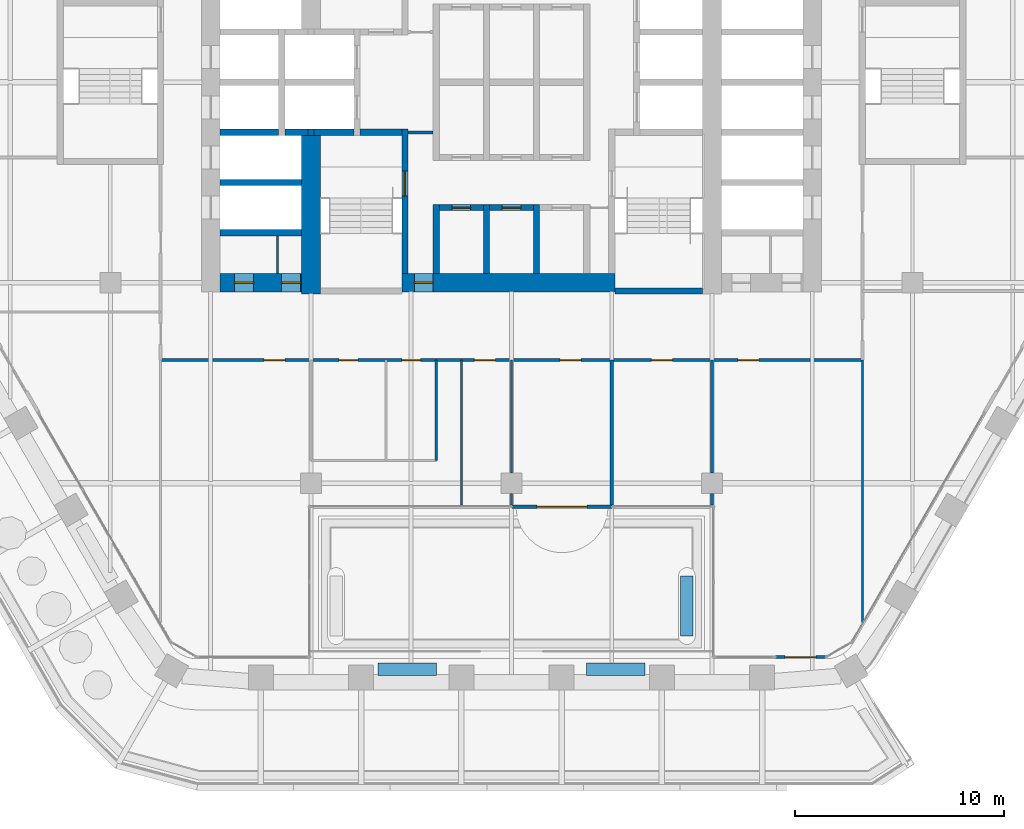
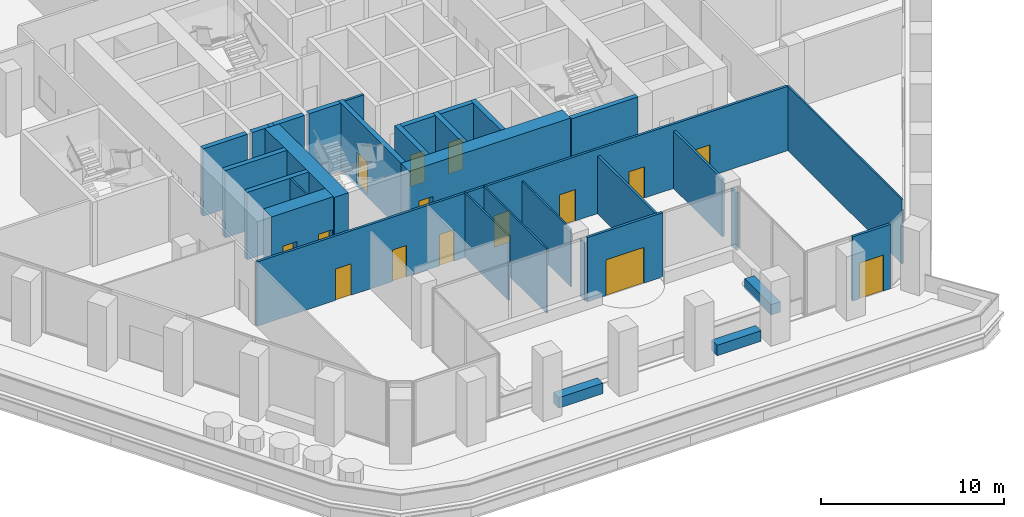
# One storey, part 16 of 27: 33 walls, 15 doors, 15 openings.
"""IFC4 building model written with IfcOpenShell, lengths in metres."""

from ifc_helpers import new_model, si_unit, direction, frame, frame_2d, origin, place, context, subcontext, project, spatial, rectangle, extrude, material, layer, layer_set, type_object, element, fill, save


model = new_model("IFC4")

# Units and contexts
model_context = context("Model", 3, precision=1e-05, world=origin(), true_north=direction((0.0, 1.0)))
body_context = subcontext(model_context, "Body", "Model", "MODEL_VIEW")
ifc_project = project(units=[si_unit("LENGTHUNIT", "METRE"), si_unit("AREAUNIT", "SQUARE_METRE"), si_unit("VOLUMEUNIT", "CUBIC_METRE"), si_unit("PLANEANGLEUNIT", "RADIAN"), si_unit("MASSUNIT", "GRAM", prefix="KILO")], contexts=[model_context])

# Site, building, storey
site_placement = place(None, origin())
site = spatial("IfcSite", under=ifc_project, at=site_placement, CompositionType="ELEMENT")
building_placement = place(site_placement, origin())
building = spatial("IfcBuilding", under=site, at=building_placement, Name="Kolab Exchange Tower", CompositionType="ELEMENT")
storey_placement = place(building_placement, frame((0.0, 0.0, 109.39990234375)))
storey = spatial("IfcBuildingStorey", under=building, at=storey_placement, Name="L21", CompositionType="ELEMENT", Elevation=109.39990234375)

# Wall, openings, doors
ifc_material_1 = material(Name="Concrete C70/85", Category="concrete")
ifc_layer_1 = layer(ifc_material_1, 0.89990234375)
ifc_layer_set_1 = layer_set([ifc_layer_1], Name="Concrete C70/85")
wall_type_1 = type_object("IfcWallType", Name="CORE WALL 900 C70/85", PredefinedType="SHEAR", material=ifc_layer_set_1)
wall_1_placement = place(storey_placement, frame((-13.949951171875, -9.60009765625, -0.199951171875), z_axis=(0.0, 0.0, 1.0), x_axis=(1.0, 0.0, 0.0)))
wall_1 = element("IfcWall", 1, at=wall_1_placement, inside=storey, type_object=wall_type_1, Name="wall/L21/core/002", PredefinedType="SHEAR", context=body_context, shape_type="SweptSolid", body=[
    extrude(rectangle(XDim=3.89990234375, YDim=0.89990234375, at=frame_2d((1.949951171875, 0.0))), origin(), (0.0, 0.0, 1.0), 4.5),
])
opening_1_placement = place(wall_1_placement, frame((0.699951171875, 0.0, 0.199951171875)))
opening_1 = element("IfcOpeningElement", 2, at=opening_1_placement, cuts=wall_1, Name="Opening D6-234", PredefinedType="OPENING", context=body_context, shape_type="SweptSolid", body=[
    extrude(rectangle(XDim=0.89990234375, YDim=2.10009765625, at=frame_2d((0.449951171875, 1.050048828125))), frame((0.0, 0.4599609375, 0.0), z_axis=(0.0, -1.0, 0.0), x_axis=(1.0, 0.0, 0.0)), (0.0, 0.0, 1.0), 0.919921875),
])
opening_2_placement = place(wall_1_placement, frame((2.949951171875, 0.0, 0.199951171875)))
opening_2 = element("IfcOpeningElement", 3, at=opening_2_placement, cuts=wall_1, Name="Opening D6-235", PredefinedType="OPENING", context=body_context, shape_type="SweptSolid", body=[
    extrude(rectangle(XDim=0.89990234375, YDim=2.10009765625, at=frame_2d((0.449951171875, 1.050048828125))), frame((0.0, 0.4599609375, 0.0), z_axis=(0.0, -1.0, 0.0), x_axis=(1.0, 0.0, 0.0)), (0.0, 0.0, 1.0), 0.919921875),
])
ifc_material_2 = material(Name="Steel S235", Category="steel")
door_type_1 = type_object("IfcDoorType", Name="CORE DOOR 900 EI 120", OperationType="SINGLE_SWING_LEFT", PredefinedType="DOOR", material=ifc_material_2)
door_1_placement = place(opening_1_placement, origin())
door_1 = element("IfcDoor", 4, at=door_1_placement, inside=storey, type_object=door_type_1, Name="Service room door", OperationType="SINGLE_SWING_RIGHT", OverallHeight=2.10009765625, OverallWidth=0.89990234375, PredefinedType="DOOR", context=body_context, shape_type="SweptSolid", body=[
    extrude(rectangle(XDim=0.89990234375, YDim=2.10009765625, at=frame_2d((0.449951171875, 1.050048828125))), frame((0.0, 0.02490234375, 0.0), z_axis=(0.0, -1.0, 0.0), x_axis=(1.0, 0.0, 0.0)), (0.0, 0.0, 1.0), 0.050048828125),
])
fill(opening_1, door_1)
door_2_placement = place(opening_2_placement, origin())
door_2 = element("IfcDoor", 5, at=door_2_placement, inside=storey, type_object=door_type_1, Name="Service room door", OperationType="SINGLE_SWING_LEFT", OverallHeight=2.10009765625, OverallWidth=0.89990234375, PredefinedType="DOOR", context=body_context, shape_type="SweptSolid", body=[
    extrude(rectangle(XDim=0.89990234375, YDim=2.10009765625, at=frame_2d((0.449951171875, 1.050048828125))), frame((0.0, 0.02490234375, 0.0), z_axis=(0.0, -1.0, 0.0), x_axis=(1.0, 0.0, 0.0)), (0.0, 0.0, 1.0), 0.050048828125),
])
fill(opening_2, door_2)

# Wall, opening, door
wall_2_placement = place(storey_placement, frame((-5.25, -9.60009765625, -0.199951171875), z_axis=(0.0, 0.0, 1.0), x_axis=(1.0, 0.0, 0.0)))
wall_2 = element("IfcWall", 6, at=wall_2_placement, inside=storey, type_object=wall_type_1, Name="wall/L21/core/003", PredefinedType="SHEAR", context=body_context, shape_type="SweptSolid", body=[
    extrude(rectangle(XDim=10.199951171875, YDim=0.89990234375, at=frame_2d((5.10009765625, 0.0))), origin(), (0.0, 0.0, 1.0), 4.5),
])
opening_3_placement = place(wall_2_placement, frame((0.60009765625, 0.0, 0.199951171875)))
opening_3 = element("IfcOpeningElement", 7, at=opening_3_placement, cuts=wall_2, Name="Opening D6-203", PredefinedType="OPENING", context=body_context, shape_type="SweptSolid", body=[
    extrude(rectangle(XDim=0.89990234375, YDim=2.10009765625, at=frame_2d((0.449951171875, 1.050048828125))), frame((0.0, 0.4599609375, 0.0), z_axis=(0.0, -1.0, 0.0), x_axis=(1.0, 0.0, 0.0)), (0.0, 0.0, 1.0), 0.919921875),
])
door_3_placement = place(opening_3_placement, origin())
door_3 = element("IfcDoor", 8, at=door_3_placement, inside=storey, type_object=door_type_1, Name="Core lobby door", OperationType="SINGLE_SWING_RIGHT", OverallHeight=2.10009765625, OverallWidth=0.89990234375, PredefinedType="DOOR", context=body_context, shape_type="SweptSolid", body=[
    extrude(rectangle(XDim=0.89990234375, YDim=2.10009765625, at=frame_2d((0.449951171875, 1.050048828125))), frame((0.0, 0.02490234375, 0.0), z_axis=(0.0, -1.0, 0.0), x_axis=(1.0, 0.0, 0.0)), (0.0, 0.0, 1.0), 0.050048828125),
])
fill(opening_3, door_3)

# Wall
wall_3_placement = place(storey_placement, frame((-9.60009765625, -10.14990234375, -0.199951171875), z_axis=(0.0, 0.0, 1.0), x_axis=(0.0, 1.0, 0.0)))
element("IfcWall", 9, at=wall_3_placement, inside=storey, type_object=wall_type_1, Name="wall/L21/core/059", PredefinedType="SHEAR", context=body_context, shape_type="SweptSolid", body=[
    extrude(rectangle(XDim=7.599853515625, YDim=0.89990234375, at=frame_2d((3.7998046875, 0.0))), origin(), (0.0, 0.0, 1.0), 4.5),
])

# Wall, opening, door
ifc_material_3 = material(Name="Aluminium EN AW-6063 T6", Category="aluminium")
ifc_layer_2 = layer(ifc_material_3, 0.159912109375)
ifc_layer_set_2 = layer_set([ifc_layer_2], Name="Aluminium EN AW-6063 T6")
wall_type_2 = type_object("IfcWallType", Name="DOOR SURROUND WALL 160 ALUMINIUM FRAMED", PredefinedType="PARTITIONING", material=ifc_layer_set_2)
wall_4_placement = place(storey_placement, frame((15.037841796875, -27.5185546875, 0.0), z_axis=(0.0, 0.0, 1.0), x_axis=(-1.0, 0.0, 0.0)))
wall_4 = element("IfcWall", 10, at=wall_4_placement, inside=storey, type_object=wall_type_2, Name="Door surround wall", PredefinedType="PARTITIONING", context=body_context, shape_type="SweptSolid", body=[
    extrude(rectangle(XDim=2.39990234375, YDim=0.159912109375, at=frame_2d((1.199951171875, 0.0))), origin(), (0.0, 0.0, 1.0), 4.300048828125),
])
opening_4_placement = place(wall_4_placement, frame((0.449951171875, 0.0, 0.0)))
opening_4 = element("IfcOpeningElement", 11, at=opening_4_placement, cuts=wall_4, Name="Opening GD2-004", PredefinedType="OPENING", context=body_context, shape_type="SweptSolid", body=[
    extrude(rectangle(XDim=1.5, YDim=2.39990234375, at=frame_2d((0.75, 1.199951171875))), frame((0.0, 0.08984375, 0.0), z_axis=(0.0, -1.0, 0.0), x_axis=(1.0, 0.0, 0.0)), (0.0, 0.0, 1.0), 0.179931640625),
])
door_type_2 = type_object("IfcDoorType", Name="LOGGIA SLIDING GLASS DOOR 1500 X 2400", OperationType="SLIDING_TO_LEFT", PredefinedType="DOOR", material=ifc_material_3)
door_4_placement = place(opening_4_placement, origin())
door_4 = element("IfcDoor", 12, at=door_4_placement, inside=storey, type_object=door_type_2, Name="Loggia door", OperationType="DOUBLE_DOOR_SLIDING", OverallHeight=2.39990234375, OverallWidth=1.5, PredefinedType="DOOR", context=body_context, shape_type="SweptSolid", body=[
    extrude(rectangle(XDim=1.5, YDim=2.39990234375, at=frame_2d((0.75, 1.199951171875))), frame((0.0, 0.02490234375, 0.0), z_axis=(0.0, -1.0, 0.0), x_axis=(1.0, 0.0, 0.0)), (0.0, 0.0, 1.0), 0.050048828125),
])
fill(opening_4, door_4)

wall_5_placement = place(storey_placement, frame((4.81005859375, -20.318359375, 0.0), z_axis=(0.0, 0.0, 1.0), x_axis=(-1.0, 0.0, 0.0)))
wall_5 = element("IfcWall", 13, at=wall_5_placement, inside=storey, type_object=wall_type_2, Name="Door surround wall", PredefinedType="PARTITIONING", context=body_context, shape_type="SweptSolid", body=[
    extrude(rectangle(XDim=4.780029296875, YDim=0.159912109375, at=frame_2d((2.39013671875, 0.0))), origin(), (0.0, 0.0, 1.0), 4.300048828125),
])
opening_5_placement = place(wall_5_placement, frame((1.18994140625, 0.0, 0.0)))
opening_5 = element("IfcOpeningElement", 14, at=opening_5_placement, cuts=wall_5, Name="Opening GD1-050", PredefinedType="OPENING", context=body_context, shape_type="SweptSolid", body=[
    extrude(rectangle(XDim=2.39990234375, YDim=2.39990234375, at=frame_2d((1.199951171875, 1.199951171875))), frame((0.0, 0.08984375, 0.0), z_axis=(0.0, -1.0, 0.0), x_axis=(1.0, 0.0, 0.0)), (0.0, 0.0, 1.0), 0.179931640625),
])
door_type_3 = type_object("IfcDoorType", Name="LOGGIA SLIDING GLASS DOOR 2400 X 2400", OperationType="DOUBLE_DOOR_SINGLE_SWING", PredefinedType="DOOR", material=ifc_material_3)
door_5_placement = place(opening_5_placement, origin())
door_5 = element("IfcDoor", 15, at=door_5_placement, inside=storey, type_object=door_type_3, Name="Loggia door", OperationType="DOUBLE_DOOR_SLIDING", OverallHeight=2.39990234375, OverallWidth=2.39990234375, PredefinedType="DOOR", context=body_context, shape_type="SweptSolid", body=[
    extrude(rectangle(XDim=2.39990234375, YDim=2.39990234375, at=frame_2d((1.199951171875, 1.199951171875))), frame((0.0, 0.02490234375, 0.0), z_axis=(0.0, -1.0, 0.0), x_axis=(1.0, 0.0, 0.0)), (0.0, 0.0, 1.0), 0.050048828125),
])
fill(opening_5, door_5)

# Wall
ifc_material_4 = material(Name="Concrete C50/60", Category="concrete")
ifc_layer_3 = layer(ifc_material_4, 0.300048828125)
ifc_layer_set_3 = layer_set([ifc_layer_3], Name="Concrete C50/60")
wall_type_3 = type_object("IfcWallType", Name="LIFT SHAFT WALL 300 C50/60", PredefinedType="STANDARD", material=ifc_layer_set_3)
wall_6_placement = place(storey_placement, frame((-13.949951171875, -7.199951171875, -0.199951171875), z_axis=(0.0, 0.0, 1.0), x_axis=(1.0, 0.0, 0.0)))
element("IfcWall", 16, at=wall_6_placement, inside=storey, type_object=wall_type_3, Name="wall/L21/core/005", PredefinedType="STANDARD", context=body_context, shape_type="SweptSolid", body=[
    extrude(rectangle(XDim=3.89990234375, YDim=0.300048828125, at=frame_2d((1.949951171875, 0.0))), origin(), (0.0, 0.0, 1.0), 4.5),
])

# Wall, opening, door
wall_7_placement = place(storey_placement, frame((-3.449951171875, -6.0, -0.199951171875), z_axis=(0.0, 0.0, 1.0), x_axis=(1.0, 0.0, 0.0)))
wall_7 = element("IfcWall", 17, at=wall_7_placement, inside=storey, type_object=wall_type_3, Name="wall/L21/core/007", PredefinedType="STANDARD", context=body_context, shape_type="SweptSolid", body=[
    extrude(rectangle(XDim=2.099853515625, YDim=0.300048828125, at=frame_2d((1.0498046875, 0.0))), origin(), (0.0, 0.0, 1.0), 4.5),
])
opening_6_placement = place(wall_7_placement, frame((0.60009765625, 0.0, 0.199951171875)))
opening_6 = element("IfcOpeningElement", 18, at=opening_6_placement, cuts=wall_7, Name="Opening D6-202", PredefinedType="OPENING", context=body_context, shape_type="SweptSolid", body=[
    extrude(rectangle(XDim=0.89990234375, YDim=2.10009765625, at=frame_2d((0.449951171875, 1.050048828125))), frame((0.0, 0.16015625, 0.0), z_axis=(0.0, -1.0, 0.0), x_axis=(1.0, 0.0, 0.0)), (0.0, 0.0, 1.0), 0.320068359375),
])
door_6_placement = place(opening_6_placement, frame((0.89990234375, 0.0, 0.0), z_axis=(0.0, 0.0, 1.0), x_axis=(-1.0, 0.0, 0.0)))
door_6 = element("IfcDoor", 19, at=door_6_placement, inside=storey, type_object=door_type_1, Name="Service room door", OperationType="SINGLE_SWING_LEFT", OverallHeight=2.10009765625, OverallWidth=0.89990234375, PredefinedType="DOOR", context=body_context, shape_type="SweptSolid", body=[
    extrude(rectangle(XDim=0.89990234375, YDim=2.10009765625, at=frame_2d((0.449951171875, 1.050048828125))), frame((0.0, 0.02490234375, 0.0), z_axis=(0.0, -1.0, 0.0), x_axis=(1.0, 0.0, 0.0)), (0.0, 0.0, 1.0), 0.050048828125),
])
fill(opening_6, door_6)

wall_8_placement = place(storey_placement, frame((-1.050048828125, -6.0, -0.199951171875), z_axis=(0.0, 0.0, 1.0), x_axis=(1.0, 0.0, 0.0)))
wall_8 = element("IfcWall", 20, at=wall_8_placement, inside=storey, type_object=wall_type_3, Name="wall/L21/core/008", PredefinedType="STANDARD", context=body_context, shape_type="SweptSolid", body=[
    extrude(rectangle(XDim=2.10009765625, YDim=0.300048828125, at=frame_2d((1.050048828125, 0.0))), origin(), (0.0, 0.0, 1.0), 4.5),
])
opening_7_placement = place(wall_8_placement, frame((0.60009765625, 0.0, 0.199951171875)))
opening_7 = element("IfcOpeningElement", 21, at=opening_7_placement, cuts=wall_8, Name="Opening D6-201", PredefinedType="OPENING", context=body_context, shape_type="SweptSolid", body=[
    extrude(rectangle(XDim=0.89990234375, YDim=2.10009765625, at=frame_2d((0.449951171875, 1.050048828125))), frame((0.0, 0.16015625, 0.0), z_axis=(0.0, -1.0, 0.0), x_axis=(1.0, 0.0, 0.0)), (0.0, 0.0, 1.0), 0.320068359375),
])
door_7_placement = place(opening_7_placement, frame((0.89990234375, 0.0, 0.0), z_axis=(0.0, 0.0, 1.0), x_axis=(-1.0, 0.0, 0.0)))
door_7 = element("IfcDoor", 22, at=door_7_placement, inside=storey, type_object=door_type_1, Name="Service room door", OperationType="SINGLE_SWING_LEFT", OverallHeight=2.10009765625, OverallWidth=0.89990234375, PredefinedType="DOOR", context=body_context, shape_type="SweptSolid", body=[
    extrude(rectangle(XDim=0.89990234375, YDim=2.10009765625, at=frame_2d((0.449951171875, 1.050048828125))), frame((0.0, 0.02490234375, 0.0), z_axis=(0.0, -1.0, 0.0), x_axis=(1.0, 0.0, 0.0)), (0.0, 0.0, 1.0), 0.050048828125),
])
fill(opening_7, door_7)

# Walls
wall_9_placement = place(storey_placement, frame((-13.949951171875, -4.800048828125, -0.199951171875), z_axis=(0.0, 0.0, 1.0), x_axis=(1.0, 0.0, 0.0)))
element("IfcWall", 23, at=wall_9_placement, inside=storey, type_object=wall_type_3, Name="wall/L21/core/010", PredefinedType="STANDARD", context=body_context, shape_type="SweptSolid", body=[
    extrude(rectangle(XDim=3.89990234375, YDim=0.300048828125, at=frame_2d((1.949951171875, 0.0))), origin(), (0.0, 0.0, 1.0), 4.5),
])
wall_10_placement = place(storey_placement, frame((-13.949951171875, -2.39990234375, -0.199951171875), z_axis=(0.0, 0.0, 1.0), x_axis=(1.0, 0.0, 0.0)))
element("IfcWall", 24, at=wall_10_placement, inside=storey, type_object=wall_type_3, Name="wall/L21/core/017", PredefinedType="STANDARD", context=body_context, shape_type="SweptSolid", body=[
    extrude(rectangle(XDim=2.800048828125, YDim=0.300048828125, at=frame_2d((1.39990234375, 0.0))), origin(), (0.0, 0.0, 1.0), 4.5),
])
wall_11_placement = place(storey_placement, frame((-10.85009765625, -2.39990234375, -0.199951171875), z_axis=(0.0, 0.0, 1.0), x_axis=(1.0, 0.0, 0.0)))
element("IfcWall", 25, at=wall_11_placement, inside=storey, type_object=wall_type_3, Name="wall/L21/core/018", PredefinedType="STANDARD", context=body_context, shape_type="SweptSolid", body=[
    extrude(rectangle(XDim=1.10009765625, YDim=0.300048828125, at=frame_2d((0.550048828125, 0.0))), origin(), (0.0, 0.0, 1.0), 4.5),
])
for number, where, z_axis, x_axis, name in (
    (26, (-3.60009765625, -9.14990234375, -0.199951171875), (0.0, 0.0, 1.0), (0.0, 1.0, 0.0), "wall/L21/core/066"),
    (27, (-1.199951171875, -9.14990234375, -0.199951171875), (0.0, 0.0, 1.0), (0.0, 1.0, 0.0), "wall/L21/core/069"),
    (28, (1.199951171875, -9.14990234375, -0.199951171875), (0.0, 0.0, 1.0), (0.0, 1.0, 0.0), "wall/L21/core/072"),
):
    element("IfcWall", number, at=place(storey_placement, frame(where, z_axis=z_axis, x_axis=x_axis)), inside=storey, type_object=wall_type_3, Name=name, PredefinedType="STANDARD", context=body_context, shape_type="SweptSolid", body=[
        extrude(rectangle(XDim=3.2998046875, YDim=0.300048828125, at=frame_2d((1.64990234375, 0.0))), origin(), (0.0, 0.0, 1.0), 4.5),
    ])
ifc_material_5 = material(Name="Gypsum board", Category="gypsum")
ifc_layer_4 = layer(ifc_material_5, 0.10009765625)
ifc_layer_set_4 = layer_set([ifc_layer_4], Name="Gypsum board")
wall_type_4 = type_object("IfcWallType", Name="PARTITION 100", PredefinedType="PARTITIONING", material=ifc_layer_set_4)
wall_12_placement = place(storey_placement, frame((16.800048828125, -25.8583984375, 0.0), z_axis=(0.0, 0.0, 1.0), x_axis=(0.0, 1.0, 0.0)))
element("IfcWall", 29, at=wall_12_placement, inside=storey, type_object=wall_type_4, Name="Partition 000", PredefinedType="PARTITIONING", context=body_context, shape_type="SweptSolid", body=[
    extrude(rectangle(XDim=12.558349609375, YDim=0.10009765625, at=frame_2d((6.279296875, 0.0))), origin(), (0.0, 0.0, 1.0), 4.300048828125),
])
wall_13_placement = place(storey_placement, frame((0.0, -20.238525390625, 0.0), z_axis=(0.0, 0.0, 1.0), x_axis=(0.0, 1.0, 0.0)))
element("IfcWall", 30, at=wall_13_placement, inside=storey, type_object=wall_type_4, Name="Partition 011", PredefinedType="PARTITIONING", context=body_context, shape_type="SweptSolid", body=[
    extrude(rectangle(XDim=0.53857421875, YDim=0.10009765625, at=frame_2d((0.269287109375, 0.0))), origin(), (0.0, 0.0, 1.0), 3.843017578125),
])
wall_14_placement = place(storey_placement, frame((0.0, -18.699951171875, 0.0), z_axis=(0.0, 0.0, 1.0), x_axis=(0.0, 1.0, 0.0)))
element("IfcWall", 31, at=wall_14_placement, inside=storey, type_object=wall_type_4, Name="Partition 012", PredefinedType="PARTITIONING", context=body_context, shape_type="SweptSolid", body=[
    extrude(rectangle(XDim=5.39990234375, YDim=0.10009765625, at=frame_2d((2.699951171875, 0.0))), origin(), (0.0, 0.0, 1.0), 3.843017578125),
])
wall_15_placement = place(storey_placement, frame((-2.39990234375, -20.228515625, 0.0), z_axis=(0.0, 0.0, 1.0), x_axis=(0.0, 1.0, 0.0)))
element("IfcWall", 32, at=wall_15_placement, inside=storey, type_object=wall_type_4, Name="Partition 015", PredefinedType="PARTITIONING", context=body_context, shape_type="SweptSolid", body=[
    extrude(rectangle(XDim=6.928466796875, YDim=0.10009765625, at=frame_2d((3.46435546875, 0.0))), origin(), (0.0, 0.0, 1.0), 4.300048828125),
])
wall_16_placement = place(storey_placement, frame((-3.60009765625, -18.10009765625, 0.0), z_axis=(0.0, 0.0, 1.0), x_axis=(0.0, 1.0, 0.0)))
element("IfcWall", 33, at=wall_16_placement, inside=storey, type_object=wall_type_4, Name="Partition 016", PredefinedType="PARTITIONING", context=body_context, shape_type="SweptSolid", body=[
    extrude(rectangle(XDim=4.800048828125, YDim=0.10009765625, at=frame_2d((2.39990234375, 0.0))), origin(), (0.0, 0.0, 1.0), 4.300048828125),
])
wall_17_placement = place(storey_placement, frame((-11.199951171875, -9.14990234375, 0.0), z_axis=(0.0, 0.0, 1.0), x_axis=(0.0, 1.0, 0.0)))
element("IfcWall", 34, at=wall_17_placement, inside=storey, type_object=wall_type_4, Name="Partition 022", PredefinedType="PARTITIONING", context=body_context, shape_type="SweptSolid", body=[
    extrude(rectangle(XDim=1.7998046875, YDim=0.10009765625, at=frame_2d((0.89990234375, 0.0))), origin(), (0.0, 0.0, 1.0), 4.300048828125),
])
ifc_layer_5 = layer(ifc_material_5, 0.14990234375)
ifc_layer_set_5 = layer_set([ifc_layer_5], Name="Gypsum board")
wall_type_5 = type_object("IfcWallType", Name="PARTITION 150 FIRE-RATED", PredefinedType="PARTITIONING", material=ifc_layer_set_5)
wall_18_placement = place(storey_placement, frame((9.60009765625, -20.228515625, 0.0), z_axis=(0.0, 0.0, 1.0), x_axis=(0.0, 1.0, 0.0)))
element("IfcWall", 35, at=wall_18_placement, inside=storey, type_object=wall_type_5, Name="Partition 007", PredefinedType="PARTITIONING", context=body_context, shape_type="SweptSolid", body=[
    extrude(rectangle(XDim=0.528564453125, YDim=0.14990234375, at=frame_2d((0.26416015625, 0.0))), origin(), (0.0, 0.0, 1.0), 3.843017578125),
])
wall_19_placement = place(storey_placement, frame((9.60009765625, -18.699951171875, 0.0), z_axis=(0.0, 0.0, 1.0), x_axis=(0.0, 1.0, 0.0)))
element("IfcWall", 36, at=wall_19_placement, inside=storey, type_object=wall_type_5, Name="Partition 008", PredefinedType="PARTITIONING", context=body_context, shape_type="SweptSolid", body=[
    extrude(rectangle(XDim=5.39990234375, YDim=0.14990234375, at=frame_2d((2.699951171875, 0.0))), origin(), (0.0, 0.0, 1.0), 3.843017578125),
])
wall_20_placement = place(storey_placement, frame((4.800048828125, -20.238525390625, 0.0), z_axis=(0.0, 0.0, 1.0), x_axis=(0.0, 1.0, 0.0)))
element("IfcWall", 37, at=wall_20_placement, inside=storey, type_object=wall_type_5, Name="Partition 009", PredefinedType="PARTITIONING", context=body_context, shape_type="SweptSolid", body=[
    extrude(rectangle(XDim=6.9384765625, YDim=0.14990234375, at=frame_2d((3.46923828125, 0.0))), origin(), (0.0, 0.0, 1.0), 3.843017578125),
])

# Wall, openings, doors
wall_21_placement = place(storey_placement, frame((-16.800048828125, -13.300048828125, 0.0), z_axis=(0.0, 0.0, 1.0), x_axis=(1.0, 0.0, 0.0)))
wall_21 = element("IfcWall", 38, at=wall_21_placement, inside=storey, type_object=wall_type_5, Name="Partition 029", PredefinedType="PARTITIONING", context=body_context, shape_type="SweptSolid", body=[
    extrude(rectangle(XDim=33.60009765625, YDim=0.14990234375, at=frame_2d((16.800048828125, 0.0))), origin(), (0.0, 0.0, 1.0), 4.300048828125),
])
opening_8_placement = place(wall_21_placement, frame((8.550048828125, 0.0, 0.0)))
opening_8 = element("IfcOpeningElement", 39, at=opening_8_placement, cuts=wall_21, Name="Opening D3-027", PredefinedType="OPENING", context=body_context, shape_type="SweptSolid", body=[
    extrude(rectangle(XDim=0.89990234375, YDim=2.10009765625, at=frame_2d((0.449951171875, 1.050048828125))), frame((0.0, 0.0849609375, 0.0), z_axis=(0.0, -1.0, 0.0), x_axis=(1.0, 0.0, 0.0)), (0.0, 0.0, 1.0), 0.169921875),
])
opening_9_placement = place(wall_21_placement, frame((11.550048828125, 0.0, 0.0)))
opening_9 = element("IfcOpeningElement", 40, at=opening_9_placement, cuts=wall_21, Name="Opening D3-028", PredefinedType="OPENING", context=body_context, shape_type="SweptSolid", body=[
    extrude(rectangle(XDim=0.89990234375, YDim=2.10009765625, at=frame_2d((0.449951171875, 1.050048828125))), frame((0.0, 0.0849609375, 0.0), z_axis=(0.0, -1.0, 0.0), x_axis=(1.0, 0.0, 0.0)), (0.0, 0.0, 1.0), 0.169921875),
])
opening_10_placement = place(wall_21_placement, frame((4.955078125, 0.0, 0.0)))
opening_10 = element("IfcOpeningElement", 41, at=opening_10_placement, cuts=wall_21, Name="Opening D1-288", PredefinedType="OPENING", context=body_context, shape_type="SweptSolid", body=[
    extrude(rectangle(XDim=1.0, YDim=2.10009765625, at=frame_2d((0.5, 1.050048828125))), frame((0.0, 0.0849609375, 0.0), z_axis=(0.0, -1.0, 0.0), x_axis=(1.0, 0.0, 0.0)), (0.0, 0.0, 1.0), 0.169921875),
])
opening_11_placement = place(wall_21_placement, frame((15.02490234375, 0.0, 0.0)))
opening_11 = element("IfcOpeningElement", 42, at=opening_11_placement, cuts=wall_21, Name="Opening D1-289", PredefinedType="OPENING", context=body_context, shape_type="SweptSolid", body=[
    extrude(rectangle(XDim=1.0, YDim=2.10009765625, at=frame_2d((0.5, 1.050048828125))), frame((0.0, 0.0849609375, 0.0), z_axis=(0.0, -1.0, 0.0), x_axis=(1.0, 0.0, 0.0)), (0.0, 0.0, 1.0), 0.169921875),
])
opening_12_placement = place(wall_21_placement, frame((23.5, 0.0, 0.0)))
opening_12 = element("IfcOpeningElement", 43, at=opening_12_placement, cuts=wall_21, Name="Opening D1-290", PredefinedType="OPENING", context=body_context, shape_type="SweptSolid", body=[
    extrude(rectangle(XDim=1.0, YDim=2.10009765625, at=frame_2d((0.5, 1.050048828125))), frame((0.0, 0.0849609375, 0.0), z_axis=(0.0, -1.0, 0.0), x_axis=(1.0, 0.0, 0.0)), (0.0, 0.0, 1.0), 0.169921875),
])
opening_13_placement = place(wall_21_placement, frame((27.64501953125, 0.0, 0.0)))
opening_13 = element("IfcOpeningElement", 44, at=opening_13_placement, cuts=wall_21, Name="Opening D1-291", PredefinedType="OPENING", context=body_context, shape_type="SweptSolid", body=[
    extrude(rectangle(XDim=1.0, YDim=2.10009765625, at=frame_2d((0.5, 1.050048828125))), frame((0.0, 0.0849609375, 0.0), z_axis=(0.0, -1.0, 0.0), x_axis=(1.0, 0.0, 0.0)), (0.0, 0.0, 1.0), 0.169921875),
])
opening_14_placement = place(wall_21_placement, frame((19.135009765625, 0.0, 0.0)))
opening_14 = element("IfcOpeningElement", 45, at=opening_14_placement, cuts=wall_21, Name="Opening D1-300", PredefinedType="OPENING", context=body_context, shape_type="SweptSolid", body=[
    extrude(rectangle(XDim=1.0, YDim=2.10009765625, at=frame_2d((0.5, 1.050048828125))), frame((0.0, 0.0849609375, 0.0), z_axis=(0.0, -1.0, 0.0), x_axis=(1.0, 0.0, 0.0)), (0.0, 0.0, 1.0), 0.169921875),
])
door_type_4 = type_object("IfcDoorType", Name="FLUSH DOOR 1000 FD60", OperationType="SINGLE_SWING_LEFT", PredefinedType="DOOR", material=ifc_material_2)
door_8_placement = place(opening_10_placement, frame((1.0, 0.0, 0.0), z_axis=(0.0, 0.0, 1.0), x_axis=(-1.0, 0.0, 0.0)))
door_8 = element("IfcDoor", 46, at=door_8_placement, inside=storey, type_object=door_type_4, Name="Door L21-057", OperationType="SINGLE_SWING_RIGHT", OverallHeight=2.10009765625, OverallWidth=1.0, PredefinedType="DOOR", context=body_context, shape_type="SweptSolid", body=[
    extrude(rectangle(XDim=1.0, YDim=2.10009765625, at=frame_2d((0.5, 1.050048828125))), frame((0.0, 0.02490234375, 0.0), z_axis=(0.0, -1.0, 0.0), x_axis=(1.0, 0.0, 0.0)), (0.0, 0.0, 1.0), 0.050048828125),
])
fill(opening_10, door_8)
door_9_placement = place(opening_11_placement, frame((1.0, 0.0, 0.0), z_axis=(0.0, 0.0, 1.0), x_axis=(-1.0, 0.0, 0.0)))
door_9 = element("IfcDoor", 47, at=door_9_placement, inside=storey, type_object=door_type_4, Name="Door L21-058", OperationType="SINGLE_SWING_LEFT", OverallHeight=2.10009765625, OverallWidth=1.0, PredefinedType="DOOR", context=body_context, shape_type="SweptSolid", body=[
    extrude(rectangle(XDim=1.0, YDim=2.10009765625, at=frame_2d((0.5, 1.050048828125))), frame((0.0, 0.02490234375, 0.0), z_axis=(0.0, -1.0, 0.0), x_axis=(1.0, 0.0, 0.0)), (0.0, 0.0, 1.0), 0.050048828125),
])
fill(opening_11, door_9)
door_10_placement = place(opening_12_placement, frame((1.0, 0.0, 0.0), z_axis=(0.0, 0.0, 1.0), x_axis=(-1.0, 0.0, 0.0)))
door_10 = element("IfcDoor", 48, at=door_10_placement, inside=storey, type_object=door_type_4, Name="Door L21-059", OperationType="SINGLE_SWING_LEFT", OverallHeight=2.10009765625, OverallWidth=1.0, PredefinedType="DOOR", context=body_context, shape_type="SweptSolid", body=[
    extrude(rectangle(XDim=1.0, YDim=2.10009765625, at=frame_2d((0.5, 1.050048828125))), frame((0.0, 0.02490234375, 0.0), z_axis=(0.0, -1.0, 0.0), x_axis=(1.0, 0.0, 0.0)), (0.0, 0.0, 1.0), 0.050048828125),
])
fill(opening_12, door_10)
door_11_placement = place(opening_13_placement, frame((1.0, 0.0, 0.0), z_axis=(0.0, 0.0, 1.0), x_axis=(-1.0, 0.0, 0.0)))
door_11 = element("IfcDoor", 49, at=door_11_placement, inside=storey, type_object=door_type_4, Name="Door L21-060", OperationType="SINGLE_SWING_LEFT", OverallHeight=2.10009765625, OverallWidth=1.0, PredefinedType="DOOR", context=body_context, shape_type="SweptSolid", body=[
    extrude(rectangle(XDim=1.0, YDim=2.10009765625, at=frame_2d((0.5, 1.050048828125))), frame((0.0, 0.02490234375, 0.0), z_axis=(0.0, -1.0, 0.0), x_axis=(1.0, 0.0, 0.0)), (0.0, 0.0, 1.0), 0.050048828125),
])
fill(opening_13, door_11)
door_12_placement = place(opening_14_placement, frame((1.0, 0.0, 0.0), z_axis=(0.0, 0.0, 1.0), x_axis=(-1.0, 0.0, 0.0)))
door_12 = element("IfcDoor", 50, at=door_12_placement, inside=storey, type_object=door_type_4, Name="Door L21-069", OperationType="SINGLE_SWING_RIGHT", OverallHeight=2.10009765625, OverallWidth=1.0, PredefinedType="DOOR", context=body_context, shape_type="SweptSolid", body=[
    extrude(rectangle(XDim=1.0, YDim=2.10009765625, at=frame_2d((0.5, 1.050048828125))), frame((0.0, 0.02490234375, 0.0), z_axis=(0.0, -1.0, 0.0), x_axis=(1.0, 0.0, 0.0)), (0.0, 0.0, 1.0), 0.050048828125),
])
fill(opening_14, door_12)
door_type_5 = type_object("IfcDoorType", Name="FLUSH DOOR 900 FD60", OperationType="SINGLE_SWING_LEFT", PredefinedType="DOOR", material=ifc_material_2)
door_13_placement = place(opening_8_placement, frame((0.89990234375, 0.0, 0.0), z_axis=(0.0, 0.0, 1.0), x_axis=(-1.0, 0.0, 0.0)))
door_13 = element("IfcDoor", 51, at=door_13_placement, inside=storey, type_object=door_type_5, Name="Door L21-055", OperationType="SINGLE_SWING_LEFT", OverallHeight=2.10009765625, OverallWidth=0.89990234375, PredefinedType="DOOR", context=body_context, shape_type="SweptSolid", body=[
    extrude(rectangle(XDim=0.89990234375, YDim=2.10009765625, at=frame_2d((0.449951171875, 1.050048828125))), frame((0.0, 0.02490234375, 0.0), z_axis=(0.0, -1.0, 0.0), x_axis=(1.0, 0.0, 0.0)), (0.0, 0.0, 1.0), 0.050048828125),
])
fill(opening_8, door_13)
door_14_placement = place(opening_9_placement, frame((0.89990234375, 0.0, 0.0), z_axis=(0.0, 0.0, 1.0), x_axis=(-1.0, 0.0, 0.0)))
door_14 = element("IfcDoor", 52, at=door_14_placement, inside=storey, type_object=door_type_5, Name="Door L21-056", OperationType="SINGLE_SWING_LEFT", OverallHeight=2.10009765625, OverallWidth=0.89990234375, PredefinedType="DOOR", context=body_context, shape_type="SweptSolid", body=[
    extrude(rectangle(XDim=0.89990234375, YDim=2.10009765625, at=frame_2d((0.449951171875, 1.050048828125))), frame((0.0, 0.02490234375, 0.0), z_axis=(0.0, -1.0, 0.0), x_axis=(1.0, 0.0, 0.0)), (0.0, 0.0, 1.0), 0.050048828125),
])
fill(opening_9, door_14)

# Walls
wall_22_placement = place(storey_placement, frame((-4.949951171875, -2.39990234375, 0.0), z_axis=(0.0, 0.0, 1.0), x_axis=(1.0, 0.0, 0.0)))
element("IfcWall", 53, at=wall_22_placement, inside=storey, type_object=wall_type_5, Name="Fire partition", PredefinedType="PARTITIONING", context=body_context, shape_type="SweptSolid", body=[
    extrude(rectangle(XDim=1.199951171875, YDim=0.14990234375, at=frame_2d((0.60009765625, 0.0))), origin(), (0.0, 0.0, 1.0), 4.300048828125),
])
ifc_material_6 = material(Name="Granite facing", Category="masonry")
ifc_layer_6 = layer(ifc_material_6, 0.0400390625)
ifc_material_7 = material(Name="Concrete C40/50 precast", Category="concrete")
ifc_layer_7 = layer(ifc_material_7, 0.56005859375)
ifc_layer_set_6 = layer_set([ifc_layer_6, ifc_layer_7], Name="Concrete C40/50 precast")
wall_type_6 = type_object("IfcWallType", Name="PLANTER BOX 600 X 700 SOIL DEPTH 550", PredefinedType="USERDEFINED", material=ifc_layer_set_6)
wall_23_placement = place(storey_placement, frame((8.39990234375, -23.638427734375, 0.0), z_axis=(0.0, 0.0, 1.0), x_axis=(0.0, -1.0, 0.0)))
element("IfcWall", 54, at=wall_23_placement, inside=storey, type_object=wall_type_6, Name="Planter", ObjectType="PLANTER", PredefinedType="USERDEFINED", context=body_context, shape_type="SweptSolid", body=[
    extrude(rectangle(XDim=2.880126953125, YDim=0.60009765625, at=frame_2d((1.43994140625, 0.0))), origin(), (0.0, 0.0, 1.0), 0.7001953125),
])
for number, where, z_axis, x_axis, name in (
    (55, (3.60009765625, -28.098388671875, 0.0), (0.0, 0.0, 1.0), (1.0, 0.0, 0.0), "Planter"),
    (56, (-3.60009765625, -28.098388671875, 0.0), (0.0, 0.0, 1.0), (-1.0, 0.0, 0.0), "Planter"),
):
    element("IfcWall", number, at=place(storey_placement, frame(where, z_axis=z_axis, x_axis=x_axis)), inside=storey, type_object=wall_type_6, Name=name, ObjectType="PLANTER", PredefinedType="USERDEFINED", context=body_context, shape_type="SweptSolid", body=[
        extrude(rectangle(XDim=2.7998046875, YDim=0.60009765625, at=frame_2d((1.39990234375, 0.0))), origin(), (0.0, 0.0, 1.0), 0.7001953125),
    ])
ifc_layer_8 = layer(ifc_material_4, 0.300048828125)
ifc_layer_set_7 = layer_set([ifc_layer_8], Name="Concrete C50/60")
wall_type_7 = type_object("IfcWallType", Name="STAIR ENCLOSURE WALL 300 C50/60", PredefinedType="STANDARD", material=ifc_layer_set_7)
wall_24_placement = place(storey_placement, frame((4.949951171875, -10.0, -0.199951171875), z_axis=(0.0, 0.0, 1.0), x_axis=(1.0, 0.0, 0.0)))
element("IfcWall", 57, at=wall_24_placement, inside=storey, type_object=wall_type_7, Name="wall/L21/core/001", PredefinedType="STANDARD", context=body_context, shape_type="SweptSolid", body=[
    extrude(rectangle(XDim=4.199951171875, YDim=0.300048828125, at=frame_2d((2.10009765625, 0.0))), origin(), (0.0, 0.0, 1.0), 4.5),
])
wall_25_placement = place(storey_placement, frame((-9.449951171875, -2.39990234375, -0.199951171875), z_axis=(0.0, 0.0, 1.0), x_axis=(1.0, 0.0, 0.0)))
element("IfcWall", 58, at=wall_25_placement, inside=storey, type_object=wall_type_7, Name="wall/L21/core/019", PredefinedType="STANDARD", context=body_context, shape_type="SweptSolid", body=[
    extrude(rectangle(XDim=1.89990234375, YDim=0.300048828125, at=frame_2d((0.949951171875, 0.0))), origin(), (0.0, 0.0, 1.0), 4.5),
])
wall_26_placement = place(storey_placement, frame((-7.25, -2.39990234375, -0.199951171875), z_axis=(0.0, 0.0, 1.0), x_axis=(1.0, 0.0, 0.0)))
element("IfcWall", 59, at=wall_26_placement, inside=storey, type_object=wall_type_7, Name="wall/L21/core/020", PredefinedType="STANDARD", context=body_context, shape_type="SweptSolid", body=[
    extrude(rectangle(XDim=2.0, YDim=0.300048828125, at=frame_2d((1.0, 0.0))), origin(), (0.0, 0.0, 1.0), 4.5),
])
wall_27_placement = place(storey_placement, frame((-9.60009765625, -2.550048828125, -0.199951171875), z_axis=(0.0, 0.0, 1.0), x_axis=(0.0, 1.0, 0.0)))
element("IfcWall", 60, at=wall_27_placement, inside=storey, type_object=wall_type_7, Name="wall/L21/core/060", PredefinedType="STANDARD", context=body_context, shape_type="SweptSolid", body=[
    extrude(rectangle(XDim=0.300048828125, YDim=0.300048828125, at=frame_2d((0.14990234375, 0.0))), origin(), (0.0, 0.0, 1.0), 4.5),
])

# Wall, opening, door
wall_28_placement = place(storey_placement, frame((-5.10009765625, -9.14990234375, -0.199951171875), z_axis=(0.0, 0.0, 1.0), x_axis=(0.0, 1.0, 0.0)))
wall_28 = element("IfcWall", 61, at=wall_28_placement, inside=storey, type_object=wall_type_7, Name="wall/L21/core/064", PredefinedType="STANDARD", context=body_context, shape_type="SweptSolid", body=[
    extrude(rectangle(XDim=6.89990234375, YDim=0.300048828125, at=frame_2d((3.449951171875, 0.0))), origin(), (0.0, 0.0, 1.0), 4.5),
])
opening_15_placement = place(wall_28_placement, frame((3.699951171875, 0.0, 0.199951171875)))
opening_15 = element("IfcOpeningElement", 62, at=opening_15_placement, cuts=wall_28, Name="Opening D4-046", PredefinedType="OPENING", context=body_context, shape_type="SweptSolid", body=[
    extrude(rectangle(XDim=1.199951171875, YDim=2.10009765625, at=frame_2d((0.60009765625, 1.050048828125))), frame((0.0, 0.16015625, 0.0), z_axis=(0.0, -1.0, 0.0), x_axis=(1.0, 0.0, 0.0)), (0.0, 0.0, 1.0), 0.320068359375),
])
door_type_6 = type_object("IfcDoorType", Name="STAIR DOOR 1200 EI 120", OperationType="SINGLE_SWING_LEFT", PredefinedType="DOOR", material=ifc_material_2)
door_15_placement = place(opening_15_placement, origin())
door_15 = element("IfcDoor", 63, at=door_15_placement, inside=storey, type_object=door_type_6, Name="Stair 3 door", OperationType="SINGLE_SWING_RIGHT", OverallHeight=2.10009765625, OverallWidth=1.199951171875, PredefinedType="DOOR", context=body_context, shape_type="SweptSolid", body=[
    extrude(rectangle(XDim=1.199951171875, YDim=2.10009765625, at=frame_2d((0.60009765625, 1.050048828125))), frame((0.0, 0.02490234375, 0.0), z_axis=(0.0, -1.0, 0.0), x_axis=(1.0, 0.0, 0.0)), (0.0, 0.0, 1.0), 0.050048828125),
])
fill(opening_15, door_15)

save(model, "model.ifc")
